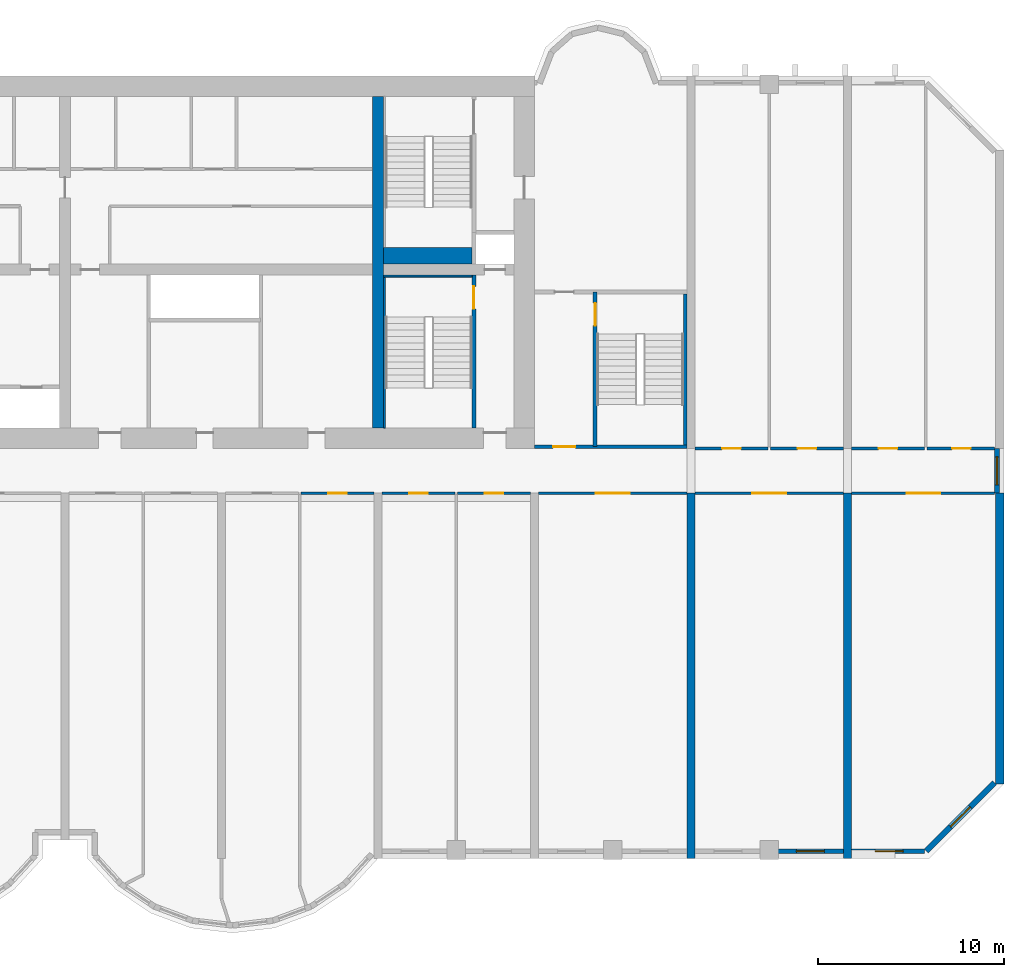
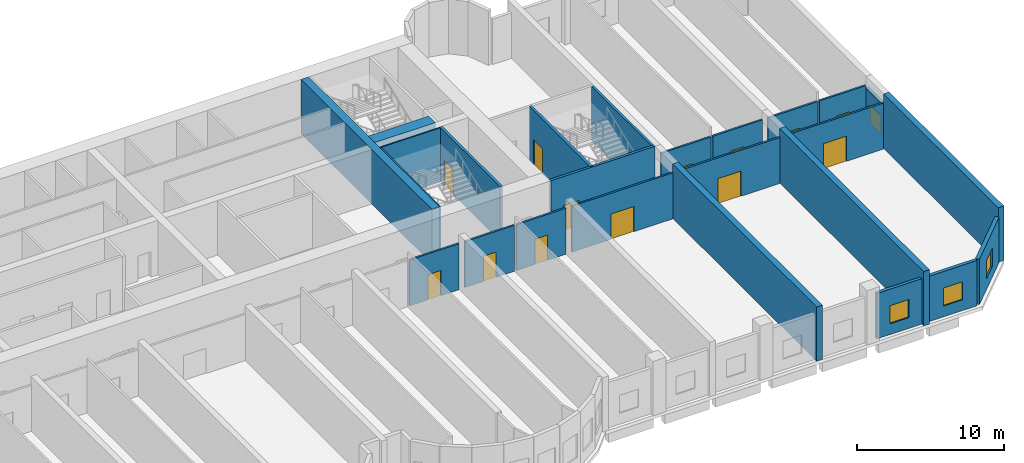
# One storey, part 7 of 10: 25 walls, 13 doors, 4 windows, 17 openings.
"""IFC4 building model written with IfcOpenShell, lengths in metres."""

from ifc_helpers import new_model, si_unit, direction, frame, frame_2d, origin, place, context, subcontext, project, spatial, rectangle, extrude, source, transform, mapped, material, layer, layer_set, type_object, element, fill, save


model = new_model("IFC4")

# Units and contexts
model_context = context("Model", 3, precision=1e-05, world=origin(), true_north=direction((0.0, 1.0)))
body_context = subcontext(model_context, "Body", "Model", "MODEL_VIEW")
ifc_project = project(units=[si_unit("LENGTHUNIT", "METRE"), si_unit("AREAUNIT", "SQUARE_METRE"), si_unit("VOLUMEUNIT", "CUBIC_METRE"), si_unit("PLANEANGLEUNIT", "RADIAN"), si_unit("MASSUNIT", "GRAM", prefix="KILO")], contexts=[model_context])

# Site, building, storey
site_placement = place(None, origin())
site = spatial("IfcSite", under=ifc_project, at=site_placement, CompositionType="ELEMENT")
building_placement = place(site_placement, origin())
building = spatial("IfcBuilding", under=site, at=building_placement, Name="Vanashikhar Sky Hotel", CompositionType="ELEMENT")
storey_placement = place(building_placement, frame((0.0, 0.0, 23.0)))
storey = spatial("IfcBuildingStorey", under=building, at=storey_placement, Name="L04", CompositionType="ELEMENT", Elevation=23.0)

# Walls
ifc_material_1 = material(Name="Concrete M80", Category="concrete")
ifc_layer_1 = layer(ifc_material_1, 0.60009765625)
ifc_layer_set_1 = layer_set([ifc_layer_1], Name="RC core inner wall 600 Concrete M80")
wall_type_1 = type_object("IfcWallType", Name="RC core inner wall 600 Concrete M80", PredefinedType="SHEAR", material=ifc_layer_set_1)
shared_shape_1 = source(origin(), body_context, "Body", "SweptSolid", [
    extrude(rectangle(XDim=17.7998046875, YDim=0.60009765625, at=frame_2d((8.89990234375, 0.0))), origin(), (0.0, 0.0, 1.0), 4.52001953125),
])
wall_1_placement = place(storey_placement, frame((67.199951171875, 23.10009765625, 0.0), z_axis=(0.0, 0.0, 1.0), x_axis=(0.0, 1.0, 0.0)))
element("IfcWall", 1, at=wall_1_placement, inside=storey, type_object=wall_type_1, Name="KW-L04-KX3", PredefinedType="SHEAR", context=body_context, shape_type="MappedRepresentation", body=[
    mapped(shared_shape_1, transform((0.0, 0.0, 0.0), scale=1.0)),
])
ifc_layer_2 = layer(ifc_material_1, 0.449951171875)
ifc_layer_set_2 = layer_set([ifc_layer_2], Name="RC shear wall 450 Concrete M80")
wall_type_2 = type_object("IfcWallType", Name="RC shear wall 450 Concrete M80", PredefinedType="SHEAR", material=ifc_layer_set_2)
shared_shape_2 = source(origin(), body_context, "Body", "SweptSolid", [
    extrude(rectangle(XDim=15.60009765625, YDim=0.449951171875, at=frame_2d((7.800048828125, 0.0))), origin(), (0.0, 0.0, 1.0), 4.52001953125),
])
wall_2_placement = place(storey_placement, frame((100.574951171875, 4.0, 0.0), z_axis=(0.0, 0.0, 1.0), x_axis=(0.0, 1.0, 0.0)))
element("IfcWall", 2, at=wall_2_placement, inside=storey, type_object=wall_type_2, Name="CW-L04-XW13-1", PredefinedType="SHEAR", context=body_context, shape_type="MappedRepresentation", body=[
    mapped(shared_shape_2, transform((0.0, 0.0, 0.0), scale=1.0)),
])
shared_shape_3 = source(origin(), body_context, "Body", "SweptSolid", [
    extrude(rectangle(XDim=19.60009765625, YDim=0.449951171875, at=frame_2d((9.800048828125, 0.0))), origin(), (0.0, 0.0, 1.0), 4.52001953125),
])
for number, where, z_axis, x_axis, name in (
    (3, (84.0, 0.0, 0.0), (0.0, 0.0, 1.0), (0.0, 1.0, 0.0), "CW-L04-XW11-1"),
    (4, (92.39990234375, 0.0, 0.0), (0.0, 0.0, 1.0), (0.0, 1.0, 0.0), "CW-L04-XW12-1"),
):
    element("IfcWall", number, at=place(storey_placement, frame(where, z_axis=z_axis, x_axis=x_axis)), inside=storey, type_object=wall_type_2, Name=name, PredefinedType="SHEAR", context=body_context, shape_type="MappedRepresentation", body=[
        mapped(shared_shape_3, transform((0.0, 0.0, 0.0), scale=1.0)),
    ])

# Wall, opening, window
ifc_material_2 = material(Name="Concrete M50", Category="concrete")
ifc_layer_3 = layer(ifc_material_2, 0.25)
ifc_layer_set_3 = layer_set([ifc_layer_3], Name="Rear and end board-marked wall 250")
wall_type_3 = type_object("IfcWallType", Name="Rear and end board-marked wall 250", PredefinedType="SOLIDWALL", material=ifc_layer_set_3)
shared_shape_4 = source(origin(), body_context, "Body", "SweptSolid", [
    extrude(rectangle(XDim=3.525146484375, YDim=0.25, at=frame_2d((1.7626953125, 0.0))), origin(), (0.0, 0.0, 1.0), 3.77001953125),
])
wall_3_placement = place(storey_placement, frame((88.64990234375, 0.375, 0.0), z_axis=(0.0, 0.0, 1.0), x_axis=(1.0, 0.0, 0.0)))
wall_3 = element("IfcWall", 5, at=wall_3_placement, inside=storey, type_object=wall_type_3, Name="Podium external wall", PredefinedType="SOLIDWALL", context=body_context, shape_type="MappedRepresentation", body=[
    mapped(shared_shape_4, transform((0.0, 0.0, 0.0), scale=1.0)),
])
shared_shape_5 = source(origin(), body_context, "Body", "SweptSolid", [
    extrude(rectangle(XDim=1.5, YDim=1.5, at=frame_2d((0.75, 0.75))), frame((0.0, 0.135009765625, 0.0), z_axis=(0.0, -1.0, 0.0), x_axis=(1.0, 0.0, 0.0)), (0.0, 0.0, 1.0), 0.27001953125),
])
opening_1_placement = place(wall_3_placement, frame((1.012451171875, 0.0, 0.89990234375)))
opening_1 = element("IfcOpeningElement", 6, at=opening_1_placement, cuts=wall_3, Name="Opening WN-1", PredefinedType="OPENING", context=body_context, shape_type="MappedRepresentation", body=[
    mapped(shared_shape_5, transform((0.0, 0.0, 0.0), scale=1.0)),
])
ifc_material_3 = material(Name="Glass", Category="glass")
window_type = type_object("IfcWindowType", Name="Window 1500 x 1500", PartitioningType="SINGLE_PANEL", PredefinedType="WINDOW", material=ifc_material_3)
shared_shape_6 = source(origin(), body_context, "Body", "SweptSolid", [
    extrude(rectangle(XDim=1.5, YDim=1.5, at=frame_2d((0.75, 0.75))), frame((0.0, 0.030029296875, 0.0), z_axis=(0.0, -1.0, 0.0), x_axis=(1.0, 0.0, 0.0)), (0.0, 0.0, 1.0), 0.06005859375),
])
window_1_placement = place(opening_1_placement, origin())
window_1 = element("IfcWindow", 7, at=window_1_placement, inside=storey, type_object=window_type, Name="Window WN-1", OverallHeight=1.5, OverallWidth=1.5, PartitioningType="SINGLE_PANEL", PredefinedType="WINDOW", context=body_context, shape_type="MappedRepresentation", body=[
    mapped(shared_shape_6, transform((0.0, 0.0, 0.0), scale=1.0)),
])
fill(opening_1, window_1)

shared_shape_7 = source(origin(), body_context, "Body", "SweptSolid", [
    extrude(rectangle(XDim=3.899658203125, YDim=0.25, at=frame_2d((1.94970703125, 0.0))), origin(), (0.0, 0.0, 1.0), 3.77001953125),
])
wall_4_placement = place(storey_placement, frame((92.625, 0.375, 0.0), z_axis=(0.0, 0.0, 1.0), x_axis=(1.0, 0.0, 0.0)))
wall_4 = element("IfcWall", 8, at=wall_4_placement, inside=storey, type_object=wall_type_3, Name="Podium external wall", PredefinedType="SOLIDWALL", context=body_context, shape_type="MappedRepresentation", body=[
    mapped(shared_shape_7, transform((0.0, 0.0, 0.0), scale=1.0)),
])
opening_2_placement = place(wall_4_placement, frame((1.260009765625, 0.0, 0.89990234375)))
opening_2 = element("IfcOpeningElement", 9, at=opening_2_placement, cuts=wall_4, Name="Opening WN-1", PredefinedType="OPENING", context=body_context, shape_type="MappedRepresentation", body=[
    mapped(shared_shape_5, transform((0.0, 0.0, 0.0), scale=1.0)),
])
window_2_placement = place(opening_2_placement, origin())
window_2 = element("IfcWindow", 10, at=window_2_placement, inside=storey, type_object=window_type, Name="Window WN-1", OverallHeight=1.5, OverallWidth=1.5, PartitioningType="SINGLE_PANEL", PredefinedType="WINDOW", context=body_context, shape_type="MappedRepresentation", body=[
    mapped(shared_shape_6, transform((0.0, 0.0, 0.0), scale=1.0)),
])
fill(opening_2, window_2)

ifc_layer_4 = layer(ifc_material_2, 0.300048828125)
ifc_layer_set_4 = layer_set([ifc_layer_4], Name="Lobe wall 300")
wall_type_4 = type_object("IfcWallType", Name="Lobe wall 300", PredefinedType="SOLIDWALL", material=ifc_layer_set_4)
shared_shape_8 = source(origin(), body_context, "Body", "SweptSolid", [
    extrude(rectangle(XDim=5.173095703125, YDim=0.300048828125, at=frame_2d((2.58642578125, 0.0))), origin(), (0.0, 0.0, 1.0), 3.77001953125),
])
wall_5_placement = place(storey_placement, frame((96.63427734375, 0.39990234375, 0.0), z_axis=(0.0, 0.0, 1.0), x_axis=(0.707106781187, 0.707106781187, 0.0)))
wall_5 = element("IfcWall", 11, at=wall_5_placement, inside=storey, type_object=wall_type_4, Name="Corner wall", PredefinedType="SOLIDWALL", context=body_context, shape_type="MappedRepresentation", body=[
    mapped(shared_shape_8, transform((0.0, 0.0, 0.0), scale=1.0)),
])
shared_shape_9 = source(origin(), body_context, "Body", "SweptSolid", [
    extrude(rectangle(XDim=1.5, YDim=1.5, at=frame_2d((0.75, 0.75))), frame((0.0, 0.16015625, 0.0), z_axis=(0.0, -1.0, 0.0), x_axis=(1.0, 0.0, 0.0)), (0.0, 0.0, 1.0), 0.320068359375),
])
opening_3_placement = place(wall_5_placement, frame((1.83642578125, 0.0, 0.89990234375)))
opening_3 = element("IfcOpeningElement", 12, at=opening_3_placement, cuts=wall_5, Name="Opening WN-1", PredefinedType="OPENING", context=body_context, shape_type="MappedRepresentation", body=[
    mapped(shared_shape_9, transform((0.0, 0.0, 0.0), scale=1.0)),
])
window_3_placement = place(opening_3_placement, origin())
window_3 = element("IfcWindow", 13, at=window_3_placement, inside=storey, type_object=window_type, Name="Window WN-1", OverallHeight=1.5, OverallWidth=1.5, PartitioningType="SINGLE_PANEL", PredefinedType="WINDOW", context=body_context, shape_type="MappedRepresentation", body=[
    mapped(shared_shape_6, transform((0.0, 0.0, 0.0), scale=1.0)),
])
fill(opening_3, window_3)

shared_shape_10 = source(origin(), body_context, "Body", "SweptSolid", [
    extrude(rectangle(XDim=2.39990234375, YDim=0.25, at=frame_2d((1.199951171875, 0.0))), origin(), (0.0, 0.0, 1.0), 3.6201171875),
])
wall_6_placement = place(storey_placement, frame((100.425048828125, 19.60009765625, 0.0), z_axis=(0.0, 0.0, 1.0), x_axis=(0.0, 1.0, 0.0)))
wall_6 = element("IfcWall", 14, at=wall_6_placement, inside=storey, type_object=wall_type_3, Name="Podium external wall", PredefinedType="SOLIDWALL", context=body_context, shape_type="MappedRepresentation", body=[
    mapped(shared_shape_10, transform((0.0, 0.0, 0.0), scale=1.0)),
])
opening_4_placement = place(wall_6_placement, frame((0.449951171875, 0.0, 0.89990234375)))
opening_4 = element("IfcOpeningElement", 15, at=opening_4_placement, cuts=wall_6, Name="Opening WN-1", PredefinedType="OPENING", context=body_context, shape_type="MappedRepresentation", body=[
    mapped(shared_shape_5, transform((0.0, 0.0, 0.0), scale=1.0)),
])
window_4_placement = place(opening_4_placement, origin())
window_4 = element("IfcWindow", 16, at=window_4_placement, inside=storey, type_object=window_type, Name="Window WN-1", OverallHeight=1.5, OverallWidth=1.5, PartitioningType="SINGLE_PANEL", PredefinedType="WINDOW", context=body_context, shape_type="MappedRepresentation", body=[
    mapped(shared_shape_6, transform((0.0, 0.0, 0.0), scale=1.0)),
])
fill(opening_4, window_4)

# Wall, opening, door
ifc_layer_5 = layer(ifc_material_2, 0.199951171875)
ifc_layer_set_5 = layer_set([ifc_layer_5], Name="Stair wall 200")
wall_type_5 = type_object("IfcWallType", Name="Stair wall 200", PredefinedType="SOLIDWALL", material=ifc_layer_set_5)
shared_shape_11 = source(origin(), body_context, "Body", "SweptSolid", [
    extrude(rectangle(XDim=8.199951171875, YDim=0.199951171875, at=frame_2d((4.10009765625, 0.0))), origin(), (0.0, 0.0, 1.0), 4.52001953125),
])
wall_7_placement = place(storey_placement, frame((72.35009765625, 23.10009765625, 0.0), z_axis=(0.0, 0.0, 1.0), x_axis=(0.0, 1.0, 0.0)))
wall_7 = element("IfcWall", 17, at=wall_7_placement, inside=storey, type_object=wall_type_5, Name="Stair wall 200", PredefinedType="SOLIDWALL", context=body_context, shape_type="MappedRepresentation", body=[
    mapped(shared_shape_11, transform((0.0, 0.0, 0.0), scale=1.0)),
])
shared_shape_12 = source(origin(), body_context, "Body", "SweptSolid", [
    extrude(rectangle(XDim=1.199951171875, YDim=2.10009765625, at=frame_2d((0.60009765625, 1.050048828125))), frame((0.0, 0.10986328125, 0.0), z_axis=(0.0, -1.0, 0.0), x_axis=(1.0, 0.0, 0.0)), (0.0, 0.0, 1.0), 0.219970703125),
])
opening_5_placement = place(wall_7_placement, frame((6.39990234375, 0.0, 0.0)))
opening_5 = element("IfcOpeningElement", 18, at=opening_5_placement, cuts=wall_7, Name="Opening DC-1", PredefinedType="OPENING", context=body_context, shape_type="MappedRepresentation", body=[
    mapped(shared_shape_12, transform((0.0, 0.0, 0.0), scale=1.0)),
])
ifc_material_4 = material(Name="Steel", Category="steel")
door_type_1 = type_object("IfcDoorType", Name="Stair door 1200 FD120", OperationType="NOTDEFINED", PredefinedType="DOOR", material=ifc_material_4)
shared_shape_13 = source(origin(), body_context, "Body", "SweptSolid", [
    extrude(rectangle(XDim=1.199951171875, YDim=2.10009765625, at=frame_2d((0.60009765625, 1.050048828125))), frame((0.0, 0.02490234375, 0.0), z_axis=(0.0, -1.0, 0.0), x_axis=(1.0, 0.0, 0.0)), (0.0, 0.0, 1.0), 0.050048828125),
])
door_1_placement = place(opening_5_placement, origin())
door_1 = element("IfcDoor", 19, at=door_1_placement, inside=storey, type_object=door_type_1, Name="Stair door 1200 FD120", OperationType="SINGLE_SWING_LEFT", OverallHeight=2.10009765625, OverallWidth=1.199951171875, PredefinedType="DOOR", context=body_context, shape_type="MappedRepresentation", body=[
    mapped(shared_shape_13, transform((0.0, 0.0, 0.0), scale=1.0)),
])
fill(opening_5, door_1)

shared_shape_14 = source(origin(), body_context, "Body", "SweptSolid", [
    extrude(rectangle(XDim=8.2998046875, YDim=0.199951171875, at=frame_2d((4.14990234375, 0.0))), origin(), (0.0, 0.0, 1.0), 4.52001953125),
])
wall_8_placement = place(storey_placement, frame((78.85009765625, 22.10009765625, 0.0), z_axis=(0.0, 0.0, 1.0), x_axis=(0.0, 1.0, 0.0)))
wall_8 = element("IfcWall", 20, at=wall_8_placement, inside=storey, type_object=wall_type_5, Name="Stair wall 200", PredefinedType="SOLIDWALL", context=body_context, shape_type="MappedRepresentation", body=[
    mapped(shared_shape_14, transform((0.0, 0.0, 0.0), scale=1.0)),
])
opening_6_placement = place(wall_8_placement, frame((6.5, 0.0, 0.0)))
opening_6 = element("IfcOpeningElement", 21, at=opening_6_placement, cuts=wall_8, Name="Opening DC-1", PredefinedType="OPENING", context=body_context, shape_type="MappedRepresentation", body=[
    mapped(shared_shape_12, transform((0.0, 0.0, 0.0), scale=1.0)),
])
door_2_placement = place(opening_6_placement, origin())
door_2 = element("IfcDoor", 22, at=door_2_placement, inside=storey, type_object=door_type_1, Name="Stair door 1200 FD120", OperationType="SINGLE_SWING_RIGHT", OverallHeight=2.10009765625, OverallWidth=1.199951171875, PredefinedType="DOOR", context=body_context, shape_type="MappedRepresentation", body=[
    mapped(shared_shape_13, transform((0.0, 0.0, 0.0), scale=1.0)),
])
fill(opening_6, door_2)

shared_shape_15 = source(origin(), body_context, "Body", "SweptSolid", [
    extrude(rectangle(XDim=8.1748046875, YDim=0.199951171875, at=frame_2d((4.08740234375, 0.0))), origin(), (0.0, 0.0, 1.0), 4.52001953125),
])
wall_9_placement = place(storey_placement, frame((83.77490234375, 22.10009765625, 0.0), z_axis=(0.0, 0.0, 1.0), x_axis=(-1.0, 0.0, 0.0)))
wall_9 = element("IfcWall", 23, at=wall_9_placement, inside=storey, type_object=wall_type_5, Name="Stair wall 200", PredefinedType="SOLIDWALL", context=body_context, shape_type="MappedRepresentation", body=[
    mapped(shared_shape_15, transform((0.0, 0.0, 0.0), scale=1.0)),
])
opening_7_placement = place(wall_9_placement, frame((5.97509765625, 0.0, 0.0)))
opening_7 = element("IfcOpeningElement", 24, at=opening_7_placement, cuts=wall_9, Name="Opening DC-2", PredefinedType="OPENING", context=body_context, shape_type="MappedRepresentation", body=[
    mapped(shared_shape_12, transform((0.0, 0.0, 0.0), scale=1.0)),
])
door_type_2 = type_object("IfcDoorType", Name="Firefighting lobby door 1200 FD120", OperationType="NOTDEFINED", PredefinedType="DOOR", material=ifc_material_4)
door_3_placement = place(opening_7_placement, origin())
door_3 = element("IfcDoor", 25, at=door_3_placement, inside=storey, type_object=door_type_2, Name="Firefighting lobby door 1200 FD120", OperationType="SINGLE_SWING_RIGHT", OverallHeight=2.10009765625, OverallWidth=1.199951171875, PredefinedType="DOOR", context=body_context, shape_type="MappedRepresentation", body=[
    mapped(shared_shape_13, transform((0.0, 0.0, 0.0), scale=1.0)),
])
fill(opening_7, door_3)

# Walls
ifc_layer_6 = layer(ifc_material_2, 0.10009765625)
ifc_layer_set_6 = layer_set([ifc_layer_6], Name="Stair infill wall 100")
wall_type_6 = type_object("IfcWallType", Name="Stair infill wall 100", PredefinedType="SOLIDWALL", material=ifc_layer_set_6)
shared_shape_16 = source(origin(), body_context, "Body", "SweptSolid", [
    extrude(rectangle(XDim=4.75, YDim=0.10009765625, at=frame_2d((2.375, 0.0))), origin(), (0.0, 0.0, 1.0), 4.52001953125),
])
wall_10_placement = place(storey_placement, frame((67.5, 31.25, 0.0), z_axis=(0.0, 0.0, 1.0), x_axis=(1.0, 0.0, 0.0)))
element("IfcWall", 26, at=wall_10_placement, inside=storey, type_object=wall_type_6, Name="Stair infill wall 100", PredefinedType="SOLIDWALL", context=body_context, shape_type="MappedRepresentation", body=[
    mapped(shared_shape_16, transform((0.0, 0.0, 0.0), scale=1.0)),
])
shared_shape_17 = source(origin(), body_context, "Body", "SweptSolid", [
    extrude(rectangle(XDim=8.099853515625, YDim=0.10009765625, at=frame_2d((4.0498046875, 0.0))), origin(), (0.0, 0.0, 1.0), 4.52001953125),
])
wall_11_placement = place(storey_placement, frame((67.550048828125, 23.10009765625, 0.0), z_axis=(0.0, 0.0, 1.0), x_axis=(0.0, 1.0, 0.0)))
element("IfcWall", 27, at=wall_11_placement, inside=storey, type_object=wall_type_6, Name="Stair infill wall 100", PredefinedType="SOLIDWALL", context=body_context, shape_type="MappedRepresentation", body=[
    mapped(shared_shape_17, transform((0.0, 0.0, 0.0), scale=1.0)),
])
ifc_layer_7 = layer(ifc_material_2, 0.175048828125)
ifc_layer_set_7 = layer_set([ifc_layer_7], Name="Stair infill wall 175")
wall_type_7 = type_object("IfcWallType", Name="Stair infill wall 175", PredefinedType="SOLIDWALL", material=ifc_layer_set_7)
shared_shape_18 = source(origin(), body_context, "Body", "SweptSolid", [
    extrude(rectangle(XDim=8.10009765625, YDim=0.175048828125, at=frame_2d((4.050048828125, 0.0))), origin(), (0.0, 0.0, 1.0), 4.52001953125),
])
wall_12_placement = place(storey_placement, frame((83.68798828125, 22.199951171875, 0.0), z_axis=(0.0, 0.0, 1.0), x_axis=(0.0, 1.0, 0.0)))
element("IfcWall", 28, at=wall_12_placement, inside=storey, type_object=wall_type_7, Name="Stair infill wall 175", PredefinedType="SOLIDWALL", context=body_context, shape_type="MappedRepresentation", body=[
    mapped(shared_shape_18, transform((0.0, 0.0, 0.0), scale=1.0)),
])
ifc_layer_8 = layer(ifc_material_2, 0.89990234375)
ifc_layer_set_8 = layer_set([ifc_layer_8], Name="Stair infill wall 900")
wall_type_8 = type_object("IfcWallType", Name="Stair infill wall 900", PredefinedType="SOLIDWALL", material=ifc_layer_set_8)
shared_shape_19 = source(origin(), body_context, "Body", "SweptSolid", [
    extrude(rectangle(XDim=4.75, YDim=0.89990234375, at=frame_2d((2.375, 0.0))), origin(), (0.0, 0.0, 1.0), 4.52001953125),
])
wall_13_placement = place(storey_placement, frame((67.5, 32.35009765625, 0.0), z_axis=(0.0, 0.0, 1.0), x_axis=(1.0, 0.0, 0.0)))
element("IfcWall", 29, at=wall_13_placement, inside=storey, type_object=wall_type_8, Name="Stair infill wall 900", PredefinedType="SOLIDWALL", context=body_context, shape_type="MappedRepresentation", body=[
    mapped(shared_shape_19, transform((0.0, 0.0, 0.0), scale=1.0)),
])

# Wall, opening, door
ifc_material_5 = material(Name="Gypsum plasterboard partition")
ifc_layer_9 = layer(ifc_material_5, 0.14990234375)
ifc_layer_set_9 = layer_set([ifc_layer_9], Name="Corridor and demising partition 150")
wall_type_9 = type_object("IfcWallType", Name="Corridor and demising partition 150", PredefinedType="PARTITIONING", material=ifc_layer_set_9)
shared_shape_20 = source(origin(), body_context, "Body", "SweptSolid", [
    extrude(rectangle(XDim=3.625, YDim=0.14990234375, at=frame_2d((1.8125, 0.0))), origin(), (0.0, 0.0, 1.0), 3.820068359375),
])
wall_14_placement = place(storey_placement, frame((96.675048828125, 22.0, 0.0), z_axis=(0.0, 0.0, 1.0), x_axis=(1.0, 0.0, 0.0)))
wall_14 = element("IfcWall", 30, at=wall_14_placement, inside=storey, type_object=wall_type_9, Name="W-L04-PW035", PredefinedType="PARTITIONING", context=body_context, shape_type="MappedRepresentation", body=[
    mapped(shared_shape_20, transform((0.0, 0.0, 0.0), scale=1.0)),
])
shared_shape_21 = source(origin(), body_context, "Body", "SweptSolid", [
    extrude(rectangle(XDim=1.0, YDim=2.10009765625, at=frame_2d((0.5, 1.050048828125))), frame((0.0, 0.0849609375, 0.0), z_axis=(0.0, -1.0, 0.0), x_axis=(1.0, 0.0, 0.0)), (0.0, 0.0, 1.0), 0.169921875),
])
opening_8_placement = place(wall_14_placement, frame((1.3369140625, 0.0, 0.0)))
opening_8 = element("IfcOpeningElement", 31, at=opening_8_placement, cuts=wall_14, Name="Opening D-01", PredefinedType="OPENING", context=body_context, shape_type="MappedRepresentation", body=[
    mapped(shared_shape_21, transform((0.0, 0.0, 0.0), scale=1.0)),
])
ifc_material_6 = material(Name="Timber fire door", Category="wood")
door_type_3 = type_object("IfcDoorType", Name="Guest entry door 1000 FD30S", OperationType="NOTDEFINED", PredefinedType="DOOR", material=ifc_material_6)
shared_shape_22 = source(origin(), body_context, "Body", "SweptSolid", [
    extrude(rectangle(XDim=1.0, YDim=2.10009765625, at=frame_2d((0.5, 1.050048828125))), frame((0.0, 0.02490234375, 0.0), z_axis=(0.0, -1.0, 0.0), x_axis=(1.0, 0.0, 0.0)), (0.0, 0.0, 1.0), 0.050048828125),
])
door_4_placement = place(opening_8_placement, origin())
door_4 = element("IfcDoor", 32, at=door_4_placement, inside=storey, type_object=door_type_3, Name="D-L04-025", OperationType="SINGLE_SWING_RIGHT", OverallHeight=2.10009765625, OverallWidth=1.0, PredefinedType="DOOR", context=body_context, shape_type="MappedRepresentation", body=[
    mapped(shared_shape_22, transform((0.0, 0.0, 0.0), scale=1.0)),
])
fill(opening_8, door_4)

shared_shape_23 = source(origin(), body_context, "Body", "SweptSolid", [
    extrude(rectangle(XDim=3.900146484375, YDim=0.14990234375, at=frame_2d((1.9501953125, 0.0))), origin(), (0.0, 0.0, 1.0), 3.820068359375),
])
wall_15_placement = place(storey_placement, frame((63.074951171875, 19.60009765625, 0.0), z_axis=(0.0, 0.0, 1.0), x_axis=(1.0, 0.0, 0.0)))
wall_15 = element("IfcWall", 33, at=wall_15_placement, inside=storey, type_object=wall_type_9, Name="W-L04-PW019", PredefinedType="PARTITIONING", context=body_context, shape_type="MappedRepresentation", body=[
    mapped(shared_shape_23, transform((0.0, 0.0, 0.0), scale=1.0)),
])
opening_9_placement = place(wall_15_placement, frame((1.449951171875, 0.0, 0.0)))
opening_9 = element("IfcOpeningElement", 34, at=opening_9_placement, cuts=wall_15, Name="Opening D-01", PredefinedType="OPENING", context=body_context, shape_type="MappedRepresentation", body=[
    mapped(shared_shape_21, transform((0.0, 0.0, 0.0), scale=1.0)),
])
door_5_placement = place(opening_9_placement, origin())
door_5 = element("IfcDoor", 35, at=door_5_placement, inside=storey, type_object=door_type_3, Name="D-L04-014", OperationType="SINGLE_SWING_RIGHT", OverallHeight=2.10009765625, OverallWidth=1.0, PredefinedType="DOOR", context=body_context, shape_type="MappedRepresentation", body=[
    mapped(shared_shape_22, transform((0.0, 0.0, 0.0), scale=1.0)),
])
fill(opening_9, door_5)

wall_16_placement = place(storey_placement, frame((88.27490234375, 22.0, 0.0), z_axis=(0.0, 0.0, 1.0), x_axis=(1.0, 0.0, 0.0)))
wall_16 = element("IfcWall", 36, at=wall_16_placement, inside=storey, type_object=wall_type_9, Name="W-L04-PW032", PredefinedType="PARTITIONING", context=body_context, shape_type="MappedRepresentation", body=[
    mapped(shared_shape_23, transform((0.0, 0.0, 0.0), scale=1.0)),
])
opening_10_placement = place(wall_16_placement, frame((1.449951171875, 0.0, 0.0)))
opening_10 = element("IfcOpeningElement", 37, at=opening_10_placement, cuts=wall_16, Name="Opening D-01", PredefinedType="OPENING", context=body_context, shape_type="MappedRepresentation", body=[
    mapped(shared_shape_21, transform((0.0, 0.0, 0.0), scale=1.0)),
])
door_6_placement = place(opening_10_placement, origin())
door_6 = element("IfcDoor", 38, at=door_6_placement, inside=storey, type_object=door_type_3, Name="D-L04-023", OperationType="SINGLE_SWING_RIGHT", OverallHeight=2.10009765625, OverallWidth=1.0, PredefinedType="DOOR", context=body_context, shape_type="MappedRepresentation", body=[
    mapped(shared_shape_22, transform((0.0, 0.0, 0.0), scale=1.0)),
])
fill(opening_10, door_6)

shared_shape_24 = source(origin(), body_context, "Body", "SweptSolid", [
    extrude(rectangle(XDim=3.89990234375, YDim=0.14990234375, at=frame_2d((1.949951171875, 0.0))), origin(), (0.0, 0.0, 1.0), 3.820068359375),
])
wall_17_placement = place(storey_placement, frame((67.425048828125, 19.60009765625, 0.0), z_axis=(0.0, 0.0, 1.0), x_axis=(1.0, 0.0, 0.0)))
wall_17 = element("IfcWall", 39, at=wall_17_placement, inside=storey, type_object=wall_type_9, Name="W-L04-PW021", PredefinedType="PARTITIONING", context=body_context, shape_type="MappedRepresentation", body=[
    mapped(shared_shape_24, transform((0.0, 0.0, 0.0), scale=1.0)),
])
opening_11_placement = place(wall_17_placement, frame((1.449951171875, 0.0, 0.0)))
opening_11 = element("IfcOpeningElement", 40, at=opening_11_placement, cuts=wall_17, Name="Opening D-01", PredefinedType="OPENING", context=body_context, shape_type="MappedRepresentation", body=[
    mapped(shared_shape_21, transform((0.0, 0.0, 0.0), scale=1.0)),
])
door_7_placement = place(opening_11_placement, origin())
door_7 = element("IfcDoor", 41, at=door_7_placement, inside=storey, type_object=door_type_3, Name="D-L04-015", OperationType="SINGLE_SWING_LEFT", OverallHeight=2.10009765625, OverallWidth=1.0, PredefinedType="DOOR", context=body_context, shape_type="MappedRepresentation", body=[
    mapped(shared_shape_22, transform((0.0, 0.0, 0.0), scale=1.0)),
])
fill(opening_11, door_7)

wall_18_placement = place(storey_placement, frame((71.47509765625, 19.60009765625, 0.0), z_axis=(0.0, 0.0, 1.0), x_axis=(1.0, 0.0, 0.0)))
wall_18 = element("IfcWall", 42, at=wall_18_placement, inside=storey, type_object=wall_type_9, Name="W-L04-PW022", PredefinedType="PARTITIONING", context=body_context, shape_type="MappedRepresentation", body=[
    mapped(shared_shape_24, transform((0.0, 0.0, 0.0), scale=1.0)),
])
opening_12_placement = place(wall_18_placement, frame((1.449951171875, 0.0, 0.0)))
opening_12 = element("IfcOpeningElement", 43, at=opening_12_placement, cuts=wall_18, Name="Opening D-01", PredefinedType="OPENING", context=body_context, shape_type="MappedRepresentation", body=[
    mapped(shared_shape_21, transform((0.0, 0.0, 0.0), scale=1.0)),
])
door_8_placement = place(opening_12_placement, origin())
door_8 = element("IfcDoor", 44, at=door_8_placement, inside=storey, type_object=door_type_3, Name="D-L04-016", OperationType="SINGLE_SWING_RIGHT", OverallHeight=2.10009765625, OverallWidth=1.0, PredefinedType="DOOR", context=body_context, shape_type="MappedRepresentation", body=[
    mapped(shared_shape_22, transform((0.0, 0.0, 0.0), scale=1.0)),
])
fill(opening_12, door_8)

wall_19_placement = place(storey_placement, frame((84.22509765625, 22.0, 0.0), z_axis=(0.0, 0.0, 1.0), x_axis=(1.0, 0.0, 0.0)))
wall_19 = element("IfcWall", 45, at=wall_19_placement, inside=storey, type_object=wall_type_9, Name="W-L04-PW031", PredefinedType="PARTITIONING", context=body_context, shape_type="MappedRepresentation", body=[
    mapped(shared_shape_24, transform((0.0, 0.0, 0.0), scale=1.0)),
])
opening_13_placement = place(wall_19_placement, frame((1.449951171875, 0.0, 0.0)))
opening_13 = element("IfcOpeningElement", 46, at=opening_13_placement, cuts=wall_19, Name="Opening D-01", PredefinedType="OPENING", context=body_context, shape_type="MappedRepresentation", body=[
    mapped(shared_shape_21, transform((0.0, 0.0, 0.0), scale=1.0)),
])
door_9_placement = place(opening_13_placement, origin())
door_9 = element("IfcDoor", 47, at=door_9_placement, inside=storey, type_object=door_type_3, Name="D-L04-022", OperationType="SINGLE_SWING_LEFT", OverallHeight=2.10009765625, OverallWidth=1.0, PredefinedType="DOOR", context=body_context, shape_type="MappedRepresentation", body=[
    mapped(shared_shape_22, transform((0.0, 0.0, 0.0), scale=1.0)),
])
fill(opening_13, door_9)

wall_20_placement = place(storey_placement, frame((92.625, 22.0, 0.0), z_axis=(0.0, 0.0, 1.0), x_axis=(1.0, 0.0, 0.0)))
wall_20 = element("IfcWall", 48, at=wall_20_placement, inside=storey, type_object=wall_type_9, Name="W-L04-PW034", PredefinedType="PARTITIONING", context=body_context, shape_type="MappedRepresentation", body=[
    mapped(shared_shape_24, transform((0.0, 0.0, 0.0), scale=1.0)),
])
opening_14_placement = place(wall_20_placement, frame((1.449951171875, 0.0, 0.0)))
opening_14 = element("IfcOpeningElement", 49, at=opening_14_placement, cuts=wall_20, Name="Opening D-01", PredefinedType="OPENING", context=body_context, shape_type="MappedRepresentation", body=[
    mapped(shared_shape_21, transform((0.0, 0.0, 0.0), scale=1.0)),
])
door_10_placement = place(opening_14_placement, origin())
door_10 = element("IfcDoor", 50, at=door_10_placement, inside=storey, type_object=door_type_3, Name="D-L04-024", OperationType="SINGLE_SWING_LEFT", OverallHeight=2.10009765625, OverallWidth=1.0, PredefinedType="DOOR", context=body_context, shape_type="MappedRepresentation", body=[
    mapped(shared_shape_22, transform((0.0, 0.0, 0.0), scale=1.0)),
])
fill(opening_14, door_10)

shared_shape_25 = source(origin(), body_context, "Body", "SweptSolid", [
    extrude(rectangle(XDim=7.949951171875, YDim=0.14990234375, at=frame_2d((3.97509765625, 0.0))), origin(), (0.0, 0.0, 1.0), 3.820068359375),
])
wall_21_placement = place(storey_placement, frame((75.824951171875, 19.60009765625, 0.0), z_axis=(0.0, 0.0, 1.0), x_axis=(1.0, 0.0, 0.0)))
wall_21 = element("IfcWall", 51, at=wall_21_placement, inside=storey, type_object=wall_type_9, Name="W-L04-PW024", PredefinedType="PARTITIONING", context=body_context, shape_type="MappedRepresentation", body=[
    mapped(shared_shape_25, transform((0.0, 0.0, 0.0), scale=1.0)),
])
shared_shape_26 = source(origin(), body_context, "Body", "SweptSolid", [
    extrude(rectangle(XDim=1.800048828125, YDim=2.10009765625, at=frame_2d((0.89990234375, 1.050048828125))), frame((0.0, 0.0849609375, 0.0), z_axis=(0.0, -1.0, 0.0), x_axis=(1.0, 0.0, 0.0)), (0.0, 0.0, 1.0), 0.169921875),
])
opening_15_placement = place(wall_21_placement, frame((3.074951171875, 0.0, 0.0)))
opening_15 = element("IfcOpeningElement", 52, at=opening_15_placement, cuts=wall_21, Name="Opening D-03", PredefinedType="OPENING", context=body_context, shape_type="MappedRepresentation", body=[
    mapped(shared_shape_26, transform((0.0, 0.0, 0.0), scale=1.0)),
])
door_type_4 = type_object("IfcDoorType", Name="Double leaf door 1800 FD30S", OperationType="NOTDEFINED", PredefinedType="DOOR", material=ifc_material_6)
shared_shape_27 = source(origin(), body_context, "Body", "SweptSolid", [
    extrude(rectangle(XDim=1.800048828125, YDim=2.10009765625, at=frame_2d((0.89990234375, 1.050048828125))), frame((0.0, 0.02490234375, 0.0), z_axis=(0.0, -1.0, 0.0), x_axis=(1.0, 0.0, 0.0)), (0.0, 0.0, 1.0), 0.050048828125),
])
door_11_placement = place(opening_15_placement, origin())
door_11 = element("IfcDoor", 53, at=door_11_placement, inside=storey, type_object=door_type_4, Name="D-L04-017", OperationType="DOUBLE_DOOR_SINGLE_SWING", OverallHeight=2.10009765625, OverallWidth=1.800048828125, PredefinedType="DOOR", context=body_context, shape_type="MappedRepresentation", body=[
    mapped(shared_shape_27, transform((0.0, 0.0, 0.0), scale=1.0)),
])
fill(opening_15, door_11)

wall_22_placement = place(storey_placement, frame((84.22509765625, 19.60009765625, 0.0), z_axis=(0.0, 0.0, 1.0), x_axis=(1.0, 0.0, 0.0)))
wall_22 = element("IfcWall", 54, at=wall_22_placement, inside=storey, type_object=wall_type_9, Name="W-L04-PW025", PredefinedType="PARTITIONING", context=body_context, shape_type="MappedRepresentation", body=[
    mapped(shared_shape_25, transform((0.0, 0.0, 0.0), scale=1.0)),
])
opening_16_placement = place(wall_22_placement, frame((3.074951171875, 0.0, 0.0)))
opening_16 = element("IfcOpeningElement", 55, at=opening_16_placement, cuts=wall_22, Name="Opening D-03", PredefinedType="OPENING", context=body_context, shape_type="MappedRepresentation", body=[
    mapped(shared_shape_26, transform((0.0, 0.0, 0.0), scale=1.0)),
])
door_12_placement = place(opening_16_placement, origin())
door_12 = element("IfcDoor", 56, at=door_12_placement, inside=storey, type_object=door_type_4, Name="D-L04-018", OperationType="DOUBLE_DOOR_SINGLE_SWING", OverallHeight=2.10009765625, OverallWidth=1.800048828125, PredefinedType="DOOR", context=body_context, shape_type="MappedRepresentation", body=[
    mapped(shared_shape_27, transform((0.0, 0.0, 0.0), scale=1.0)),
])
fill(opening_16, door_12)

shared_shape_28 = source(origin(), body_context, "Body", "SweptSolid", [
    extrude(rectangle(XDim=7.675048828125, YDim=0.14990234375, at=frame_2d((3.83740234375, 0.0))), origin(), (0.0, 0.0, 1.0), 3.820068359375),
])
wall_23_placement = place(storey_placement, frame((92.625, 19.60009765625, 0.0), z_axis=(0.0, 0.0, 1.0), x_axis=(1.0, 0.0, 0.0)))
wall_23 = element("IfcWall", 57, at=wall_23_placement, inside=storey, type_object=wall_type_9, Name="W-L04-PW026", PredefinedType="PARTITIONING", context=body_context, shape_type="MappedRepresentation", body=[
    mapped(shared_shape_28, transform((0.0, 0.0, 0.0), scale=1.0)),
])
opening_17_placement = place(wall_23_placement, frame((2.9619140625, 0.0, 0.0)))
opening_17 = element("IfcOpeningElement", 58, at=opening_17_placement, cuts=wall_23, Name="Opening D-03", PredefinedType="OPENING", context=body_context, shape_type="MappedRepresentation", body=[
    mapped(shared_shape_26, transform((0.0, 0.0, 0.0), scale=1.0)),
])
door_13_placement = place(opening_17_placement, origin())
door_13 = element("IfcDoor", 59, at=door_13_placement, inside=storey, type_object=door_type_4, Name="D-L04-019", OperationType="DOUBLE_DOOR_SINGLE_SWING", OverallHeight=2.10009765625, OverallWidth=1.800048828125, PredefinedType="DOOR", context=body_context, shape_type="MappedRepresentation", body=[
    mapped(shared_shape_27, transform((0.0, 0.0, 0.0), scale=1.0)),
])
fill(opening_17, door_13)

save(model, "model.ifc")
